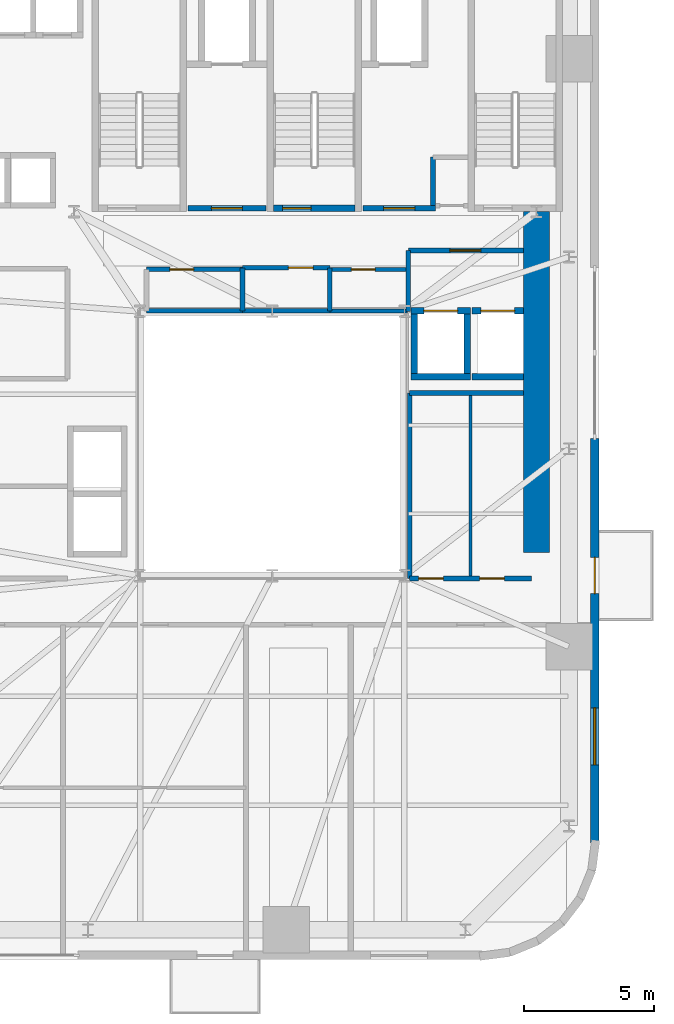
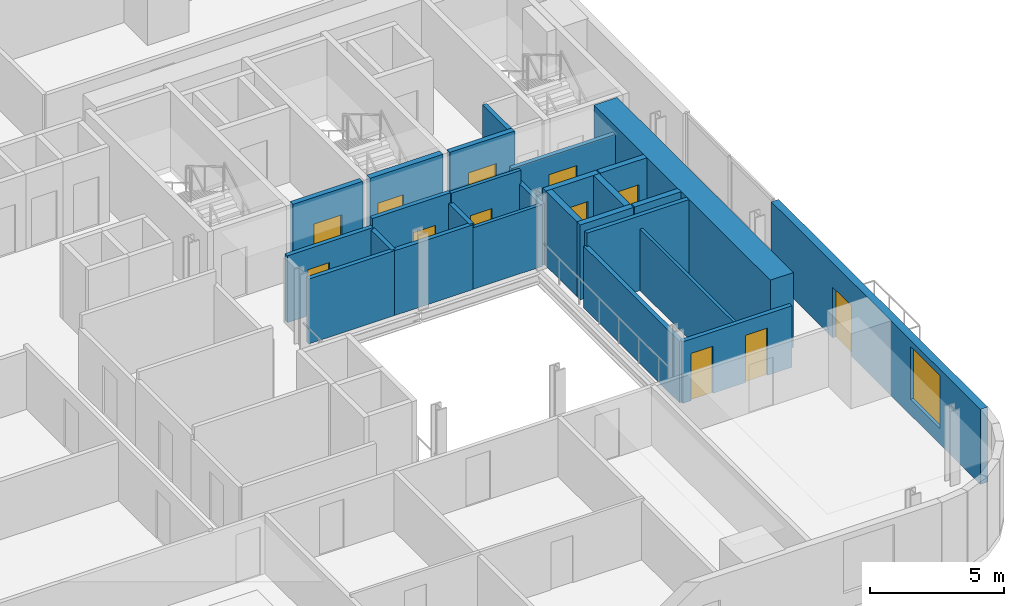
# One storey, part 7 of 13: 26 walls, 12 doors, 1 window, 13 openings.
"""IFC4 building model written with IfcOpenShell, lengths in metres."""

from ifc_helpers import new_model, si_unit, direction, frame, frame_2d, origin, place, context, subcontext, project, spatial, rectangle, extrude, source, transform, mapped, material, layer, layer_set, type_object, element, fill, save


model = new_model("IFC4")

# Units and contexts
model_context = context("Model", 3, precision=1e-05, world=origin(), true_north=direction((0.0, 1.0)))
body_context = subcontext(model_context, "Body", "Model", "MODEL_VIEW")
ifc_project = project(units=[si_unit("LENGTHUNIT", "METRE"), si_unit("AREAUNIT", "SQUARE_METRE"), si_unit("VOLUMEUNIT", "CUBIC_METRE"), si_unit("PLANEANGLEUNIT", "RADIAN"), si_unit("MASSUNIT", "GRAM", prefix="KILO")], contexts=[model_context])

# Site, building, storey
site_placement = place(None, origin())
site = spatial("IfcSite", under=ifc_project, at=site_placement, CompositionType="ELEMENT")
building_placement = place(site_placement, origin())
building = spatial("IfcBuilding", under=site, at=building_placement, Name="Vardaveli Station Tower", CompositionType="ELEMENT")
storey_placement = place(building_placement, frame((0.0, 0.0, 67.75)))
storey = spatial("IfcBuildingStorey", under=building, at=storey_placement, Name="L17", CompositionType="ELEMENT", Elevation=67.75)

# Wall
ifc_material_1 = material(Name="Concrete C60/75", Category="concrete")
ifc_layer_1 = layer(ifc_material_1, 1.0, Name="Concrete C60/75")
ifc_layer_set_1 = layer_set([ifc_layer_1], Name="Concrete C60/75")
wall_type_1 = type_object("IfcWallType", Name="WAL-CORE-1000", PredefinedType="SHEAR", material=ifc_layer_set_1)
shared_shape_1 = source(origin(), body_context, "Body", "SweptSolid", [
    extrude(rectangle(XDim=13.14990234375, YDim=1.0, at=frame_2d((6.574951171875, 0.0))), origin(), (0.0, 0.0, 1.0), 3.409912109375),
])
wall_1_placement = place(storey_placement, frame((46.5, 17.5, 0.0), z_axis=(0.0, 0.0, 1.0), x_axis=(0.0, 1.0, 0.0)))
element("IfcWall", 1, at=wall_1_placement, inside=storey, type_object=wall_type_1, Name="SW-L17-EAST2", PredefinedType="SHEAR", context=body_context, shape_type="MappedRepresentation", body=[
    mapped(shared_shape_1, transform((0.0, 0.0, 0.0), scale=1.0)),
])

# Wall, openings, door, window
ifc_material_2 = material(Name="Precast concrete C45/55", Category="concrete")
ifc_layer_2 = layer(ifc_material_2, 0.320068359375, Name="Precast concrete C45/55")
ifc_layer_set_2 = layer_set([ifc_layer_2], Name="Precast concrete C45/55")
wall_type_2 = type_object("IfcWallType", Name="WAL-EXT-STONE-320", PredefinedType="SOLIDWALL", material=ifc_layer_set_2)
shared_shape_2 = source(origin(), body_context, "Body", "SweptSolid", [
    extrude(rectangle(XDim=15.599853515625, YDim=0.320068359375, at=frame_2d((7.7998046875, 0.0))), origin(), (0.0, 0.0, 1.0), 3.409912109375),
])
wall_2_placement = place(storey_placement, frame((48.739990234375, 6.300048828125, 0.0), z_axis=(0.0, 0.0, 1.0), x_axis=(0.0, 1.0, 0.0)))
wall_2 = element("IfcWall", 2, at=wall_2_placement, inside=storey, type_object=wall_type_2, Name="EW-L17-E1", PredefinedType="SOLIDWALL", context=body_context, shape_type="MappedRepresentation", body=[
    mapped(shared_shape_2, transform((0.0, 0.0, 0.0), scale=1.0)),
])
shared_shape_3 = source(origin(), body_context, "Body", "SweptSolid", [
    extrude(rectangle(XDim=1.39990234375, YDim=2.300048828125, at=frame_2d((0.699951171875, 1.14990234375))), frame((0.0, 0.169921875, 0.0), z_axis=(0.0, -1.0, 0.0), x_axis=(1.0, 0.0, 0.0)), (0.0, 0.0, 1.0), 0.340087890625),
])
opening_1_placement = place(wall_2_placement, frame((9.6103515625, 0.0, 0.0)))
opening_1 = element("IfcOpeningElement", 3, at=opening_1_placement, cuts=wall_2, Name="Opening D-09", PredefinedType="OPENING", context=body_context, shape_type="MappedRepresentation", body=[
    mapped(shared_shape_3, transform((0.0, 0.0, 0.0), scale=1.0)),
])
shared_shape_4 = source(origin(), body_context, "Body", "SweptSolid", [
    extrude(rectangle(XDim=2.199951171875, YDim=2.39990234375, at=frame_2d((1.10009765625, 1.199951171875))), frame((0.0, 0.169921875, 0.0), z_axis=(0.0, -1.0, 0.0), x_axis=(1.0, 0.0, 0.0)), (0.0, 0.0, 1.0), 0.340087890625),
])
opening_2_placement = place(wall_2_placement, frame((3.0048828125, 0.0, 0.719970703125)))
opening_2 = element("IfcOpeningElement", 4, at=opening_2_placement, cuts=wall_2, Name="Opening W-03", PredefinedType="OPENING", context=body_context, shape_type="MappedRepresentation", body=[
    mapped(shared_shape_4, transform((0.0, 0.0, 0.0), scale=1.0)),
])
ifc_material_3 = material(Name="Thermally broken aluminium glass", Category="aluminium")
door_type_1 = type_object("IfcDoorType", Name="DR-LOG-1400x2300", OperationType="DOUBLE_DOOR_SLIDING", PredefinedType="DOOR", material=ifc_material_3)
shared_shape_5 = source(origin(), body_context, "Body", "SweptSolid", [
    extrude(rectangle(XDim=1.39990234375, YDim=2.300048828125, at=frame_2d((0.699951171875, 1.14990234375))), frame((0.0, 0.02490234375, 0.0), z_axis=(0.0, -1.0, 0.0), x_axis=(1.0, 0.0, 0.0)), (0.0, 0.0, 1.0), 0.050048828125),
])
door_1_placement = place(opening_1_placement, frame((1.39990234375, 0.0, 0.0), z_axis=(0.0, 0.0, 1.0), x_axis=(-1.0, 0.0, 0.0)))
door_1 = element("IfcDoor", 5, at=door_1_placement, inside=storey, type_object=door_type_1, Name="DLG-L17-E", OperationType="DOUBLE_DOOR_SLIDING", OverallHeight=2.300048828125, OverallWidth=1.39990234375, PredefinedType="DOOR", context=body_context, shape_type="MappedRepresentation", body=[
    mapped(shared_shape_5, transform((0.0, 0.0, 0.0), scale=1.0)),
])
fill(opening_1, door_1)
ifc_material_4 = material(Name="Low-E solar-control glass", Category="glass")
window_type = type_object("IfcWindowType", Name="WIN-LOG-2200x2400", PartitioningType="SINGLE_PANEL", PredefinedType="WINDOW", material=ifc_material_4)
shared_shape_6 = source(origin(), body_context, "Body", "SweptSolid", [
    extrude(rectangle(XDim=2.199951171875, YDim=2.39990234375, at=frame_2d((1.10009765625, 1.199951171875))), frame((0.0, 0.030029296875, 0.0), z_axis=(0.0, -1.0, 0.0), x_axis=(1.0, 0.0, 0.0)), (0.0, 0.0, 1.0), 0.06005859375),
])
window_placement = place(opening_2_placement, origin())
window = element("IfcWindow", 6, at=window_placement, inside=storey, type_object=window_type, Name="WN-L17-E1", OverallHeight=2.39990234375, OverallWidth=2.199951171875, PartitioningType="SINGLE_PANEL", PredefinedType="WINDOW", context=body_context, shape_type="MappedRepresentation", body=[
    mapped(shared_shape_6, transform((0.0, 0.0, 0.0), scale=1.0)),
])
fill(opening_2, window)

# Wall, opening, door
ifc_material_5 = material(Name="Concrete C40/50", Category="concrete")
ifc_layer_3 = layer(ifc_material_5, 0.25, Name="Concrete C40/50")
ifc_layer_set_3 = layer_set([ifc_layer_3], Name="Concrete C40/50")
wall_type_3 = type_object("IfcWallType", Name="WAL-SHAFT-250", PredefinedType="SOLIDWALL", material=ifc_layer_set_3)
shared_shape_7 = source(origin(), body_context, "Body", "SweptSolid", [
    extrude(rectangle(XDim=3.14990234375, YDim=0.25, at=frame_2d((1.574951171875, 0.0))), origin(), (0.0, 0.0, 1.0), 3.449951171875),
])
wall_3_placement = place(storey_placement, frame((36.35009765625, 30.77490234375, 0.0), z_axis=(0.0, 0.0, 1.0), x_axis=(1.0, 0.0, 0.0)))
wall_3 = element("IfcWall", 7, at=wall_3_placement, inside=storey, type_object=wall_type_3, Name="W-L17-ST-2S", PredefinedType="SOLIDWALL", context=body_context, shape_type="MappedRepresentation", body=[
    mapped(shared_shape_7, transform((0.0, 0.0, 0.0), scale=1.0)),
])
shared_shape_8 = source(origin(), body_context, "Body", "SweptSolid", [
    extrude(rectangle(XDim=1.10009765625, YDim=2.199951171875, at=frame_2d((0.550048828125, 1.10009765625))), frame((0.0, 0.135009765625, 0.0), z_axis=(0.0, -1.0, 0.0), x_axis=(1.0, 0.0, 0.0)), (0.0, 0.0, 1.0), 0.27001953125),
])
opening_3_placement = place(wall_3_placement, frame((0.35009765625, 0.0, 0.0)))
opening_3 = element("IfcOpeningElement", 8, at=opening_3_placement, cuts=wall_3, Name="Opening D-04", PredefinedType="OPENING", context=body_context, shape_type="MappedRepresentation", body=[
    mapped(shared_shape_8, transform((0.0, 0.0, 0.0), scale=1.0)),
])
ifc_material_6 = material(Name="Steel smokeproof fire doorset", Category="steel")
door_type_2 = type_object("IfcDoorType", Name="DR-ST-1100x2200", OperationType="NOTDEFINED", PredefinedType="DOOR", material=ifc_material_6)
shared_shape_9 = source(origin(), body_context, "Body", "SweptSolid", [
    extrude(rectangle(XDim=1.10009765625, YDim=2.199951171875, at=frame_2d((0.550048828125, 1.10009765625))), frame((0.0, 0.02490234375, 0.0), z_axis=(0.0, -1.0, 0.0), x_axis=(1.0, 0.0, 0.0)), (0.0, 0.0, 1.0), 0.050048828125),
])
door_2_placement = place(opening_3_placement, origin())
door_2 = element("IfcDoor", 9, at=door_2_placement, inside=storey, type_object=door_type_2, Name="DST-2-L17", OperationType="SINGLE_SWING_LEFT", OverallHeight=2.199951171875, OverallWidth=1.10009765625, PredefinedType="DOOR", context=body_context, shape_type="MappedRepresentation", body=[
    mapped(shared_shape_9, transform((0.0, 0.0, 0.0), scale=1.0)),
])
fill(opening_3, door_2)

ifc_layer_4 = layer(ifc_material_5, 0.219970703125, Name="Concrete C40/50")
ifc_layer_set_4 = layer_set([ifc_layer_4], Name="Concrete C40/50")
wall_type_4 = type_object("IfcWallType", Name="WAL-FFLOBBY-220", PredefinedType="SOLIDWALL", material=ifc_layer_set_4)
shared_shape_10 = source(origin(), body_context, "Body", "SweptSolid", [
    extrude(rectangle(XDim=3.0, YDim=0.219970703125, at=frame_2d((1.5, 0.0))), origin(), (0.0, 0.0, 1.0), 3.409912109375),
])
wall_4_placement = place(storey_placement, frame((33.050048828125, 30.780029296875, 0.0), z_axis=(0.0, 0.0, 1.0), x_axis=(1.0, 0.0, 0.0)))
wall_4 = element("IfcWall", 10, at=wall_4_placement, inside=storey, type_object=wall_type_4, Name="W-L17-FFL1S", PredefinedType="SOLIDWALL", context=body_context, shape_type="MappedRepresentation", body=[
    mapped(shared_shape_10, transform((0.0, 0.0, 0.0), scale=1.0)),
])
shared_shape_11 = source(origin(), body_context, "Body", "SweptSolid", [
    extrude(rectangle(XDim=1.199951171875, YDim=2.199951171875, at=frame_2d((0.60009765625, 1.10009765625))), frame((0.0, 0.1201171875, 0.0), z_axis=(0.0, -1.0, 0.0), x_axis=(1.0, 0.0, 0.0)), (0.0, 0.0, 1.0), 0.239990234375),
])
opening_4_placement = place(wall_4_placement, frame((0.89990234375, 0.0, 0.0)))
opening_4 = element("IfcOpeningElement", 11, at=opening_4_placement, cuts=wall_4, Name="Opening D-03", PredefinedType="OPENING", context=body_context, shape_type="MappedRepresentation", body=[
    mapped(shared_shape_11, transform((0.0, 0.0, 0.0), scale=1.0)),
])
door_type_3 = type_object("IfcDoorType", Name="DR-FFL-1200x2200", OperationType="NOTDEFINED", PredefinedType="DOOR", material=ifc_material_6)
shared_shape_12 = source(origin(), body_context, "Body", "SweptSolid", [
    extrude(rectangle(XDim=1.199951171875, YDim=2.199951171875, at=frame_2d((0.60009765625, 1.10009765625))), frame((0.0, 0.02490234375, 0.0), z_axis=(0.0, -1.0, 0.0), x_axis=(1.0, 0.0, 0.0)), (0.0, 0.0, 1.0), 0.050048828125),
])
door_3_placement = place(opening_4_placement, origin())
door_3 = element("IfcDoor", 12, at=door_3_placement, inside=storey, type_object=door_type_3, Name="DFFL1-L17", OperationType="SINGLE_SWING_LEFT", OverallHeight=2.199951171875, OverallWidth=1.199951171875, PredefinedType="DOOR", context=body_context, shape_type="MappedRepresentation", body=[
    mapped(shared_shape_12, transform((0.0, 0.0, 0.0), scale=1.0)),
])
fill(opening_4, door_3)

shared_shape_13 = source(origin(), body_context, "Body", "SweptSolid", [
    extrude(rectangle(XDim=2.800048828125, YDim=0.219970703125, at=frame_2d((1.39990234375, 0.0))), origin(), (0.0, 0.0, 1.0), 3.409912109375),
])
wall_5_placement = place(storey_placement, frame((39.800048828125, 30.780029296875, 0.0), z_axis=(0.0, 0.0, 1.0), x_axis=(1.0, 0.0, 0.0)))
wall_5 = element("IfcWall", 13, at=wall_5_placement, inside=storey, type_object=wall_type_4, Name="W-L17-FFL2S", PredefinedType="SOLIDWALL", context=body_context, shape_type="MappedRepresentation", body=[
    mapped(shared_shape_13, transform((0.0, 0.0, 0.0), scale=1.0)),
])
opening_5_placement = place(wall_5_placement, frame((0.800048828125, 0.0, 0.0)))
opening_5 = element("IfcOpeningElement", 14, at=opening_5_placement, cuts=wall_5, Name="Opening D-03", PredefinedType="OPENING", context=body_context, shape_type="MappedRepresentation", body=[
    mapped(shared_shape_11, transform((0.0, 0.0, 0.0), scale=1.0)),
])
door_4_placement = place(opening_5_placement, origin())
door_4 = element("IfcDoor", 15, at=door_4_placement, inside=storey, type_object=door_type_3, Name="DFFL2-L17", OperationType="SINGLE_SWING_RIGHT", OverallHeight=2.199951171875, OverallWidth=1.199951171875, PredefinedType="DOOR", context=body_context, shape_type="MappedRepresentation", body=[
    mapped(shared_shape_12, transform((0.0, 0.0, 0.0), scale=1.0)),
])
fill(opening_5, door_4)

# Wall
shared_shape_14 = source(origin(), body_context, "Body", "SweptSolid", [
    extrude(rectangle(XDim=2.300048828125, YDim=0.25, at=frame_2d((1.14990234375, 0.0))), origin(), (0.0, 0.0, 1.0), 3.409912109375),
])
wall_6_placement = place(storey_placement, frame((41.64990234375, 24.27490234375, 0.0), z_axis=(0.0, 0.0, 1.0), x_axis=(1.0, 0.0, 0.0)))
element("IfcWall", 16, at=wall_6_placement, inside=storey, type_object=wall_type_3, Name="SHW-SRV-01-L17-S", PredefinedType="SOLIDWALL", context=body_context, shape_type="MappedRepresentation", body=[
    mapped(shared_shape_14, transform((0.0, 0.0, 0.0), scale=1.0)),
])

# Wall, opening, door
wall_7_placement = place(storey_placement, frame((41.64990234375, 26.824951171875, 0.0), z_axis=(0.0, 0.0, 1.0), x_axis=(1.0, 0.0, 0.0)))
wall_7 = element("IfcWall", 17, at=wall_7_placement, inside=storey, type_object=wall_type_3, Name="SHW-SRV-01-L17-N", PredefinedType="SOLIDWALL", context=body_context, shape_type="MappedRepresentation", body=[
    mapped(shared_shape_14, transform((0.0, 0.0, 0.0), scale=1.0)),
])
shared_shape_15 = source(origin(), body_context, "Body", "SweptSolid", [
    extrude(rectangle(XDim=1.300048828125, YDim=2.300048828125, at=frame_2d((0.64990234375, 1.14990234375))), frame((0.0, 0.135009765625, 0.0), z_axis=(0.0, -1.0, 0.0), x_axis=(1.0, 0.0, 0.0)), (0.0, 0.0, 1.0), 0.27001953125),
])
opening_6_placement = place(wall_7_placement, frame((0.5, 0.0, 0.0)))
opening_6 = element("IfcOpeningElement", 18, at=opening_6_placement, cuts=wall_7, Name="Opening LD-03", PredefinedType="OPENING", context=body_context, shape_type="MappedRepresentation", body=[
    mapped(shared_shape_15, transform((0.0, 0.0, 0.0), scale=1.0)),
])
ifc_material_7 = material(Name="Brushed stainless steel", Category="steel")
door_type_4 = type_object("IfcDoorType", Name="DR-LD-1300x2300", OperationType="DOUBLE_DOOR_SLIDING", PredefinedType="DOOR", material=ifc_material_7)
shared_shape_16 = source(origin(), body_context, "Body", "SweptSolid", [
    extrude(rectangle(XDim=1.300048828125, YDim=2.300048828125, at=frame_2d((0.64990234375, 1.14990234375))), frame((0.0, 0.02490234375, 0.0), z_axis=(0.0, -1.0, 0.0), x_axis=(1.0, 0.0, 0.0)), (0.0, 0.0, 1.0), 0.050048828125),
])
door_5_placement = place(opening_6_placement, origin())
door_5 = element("IfcDoor", 19, at=door_5_placement, inside=storey, type_object=door_type_4, Name="LD-SRV-01-L17", OperationType="DOUBLE_DOOR_SLIDING", OverallHeight=2.300048828125, OverallWidth=1.300048828125, PredefinedType="DOOR", context=body_context, shape_type="MappedRepresentation", body=[
    mapped(shared_shape_16, transform((0.0, 0.0, 0.0), scale=1.0)),
])
fill(opening_6, door_5)

# Walls
for number, where, z_axis, x_axis, name in (
    (20, (41.77490234375, 24.39990234375, 0.0), (0.0, 0.0, 1.0), (0.0, 1.0, 0.0), "SHW-SRV-01-L17-W"),
    (21, (43.824951171875, 24.39990234375, 0.0), (0.0, 0.0, 1.0), (0.0, 1.0, 0.0), "SHW-SRV-01-L17-E"),
):
    element("IfcWall", number, at=place(storey_placement, frame(where, z_axis=z_axis, x_axis=x_axis)), inside=storey, type_object=wall_type_3, Name=name, PredefinedType="SOLIDWALL", context=body_context, shape_type="MappedRepresentation", body=[
        mapped(shared_shape_14, transform((0.0, 0.0, 0.0), scale=1.0)),
    ])
shared_shape_17 = source(origin(), body_context, "Body", "SweptSolid", [
    extrude(rectangle(XDim=2.0, YDim=0.25, at=frame_2d((1.0, 0.0))), origin(), (0.0, 0.0, 1.0), 3.409912109375),
])
wall_8_placement = place(storey_placement, frame((44.0, 24.27490234375, 0.0), z_axis=(0.0, 0.0, 1.0), x_axis=(1.0, 0.0, 0.0)))
element("IfcWall", 22, at=wall_8_placement, inside=storey, type_object=wall_type_3, Name="SHW-SRV-02-L17-S", PredefinedType="SOLIDWALL", context=body_context, shape_type="MappedRepresentation", body=[
    mapped(shared_shape_17, transform((0.0, 0.0, 0.0), scale=1.0)),
])

# Wall, opening, door
wall_9_placement = place(storey_placement, frame((44.0, 26.824951171875, 0.0), z_axis=(0.0, 0.0, 1.0), x_axis=(1.0, 0.0, 0.0)))
wall_9 = element("IfcWall", 23, at=wall_9_placement, inside=storey, type_object=wall_type_3, Name="SHW-SRV-02-L17-N", PredefinedType="SOLIDWALL", context=body_context, shape_type="MappedRepresentation", body=[
    mapped(shared_shape_17, transform((0.0, 0.0, 0.0), scale=1.0)),
])
opening_7_placement = place(wall_9_placement, frame((0.35009765625, 0.0, 0.0)))
opening_7 = element("IfcOpeningElement", 24, at=opening_7_placement, cuts=wall_9, Name="Opening LD-03", PredefinedType="OPENING", context=body_context, shape_type="MappedRepresentation", body=[
    mapped(shared_shape_15, transform((0.0, 0.0, 0.0), scale=1.0)),
])
door_6_placement = place(opening_7_placement, origin())
door_6 = element("IfcDoor", 25, at=door_6_placement, inside=storey, type_object=door_type_4, Name="LD-SRV-02-L17", OperationType="DOUBLE_DOOR_SLIDING", OverallHeight=2.300048828125, OverallWidth=1.300048828125, PredefinedType="DOOR", context=body_context, shape_type="MappedRepresentation", body=[
    mapped(shared_shape_16, transform((0.0, 0.0, 0.0), scale=1.0)),
])
fill(opening_7, door_6)

ifc_material_8 = material(Name="Fire-rated gypsum stud partition")
ifc_layer_5 = layer(ifc_material_8, 0.179931640625, Name="Fire-rated gypsum stud partition")
ifc_layer_set_5 = layer_set([ifc_layer_5], Name="Fire-rated gypsum stud partition")
wall_type_5 = type_object("IfcWallType", Name="WAL-CORR-180", PredefinedType="PARTITIONING", material=ifc_layer_set_5)
shared_shape_18 = source(origin(), body_context, "Body", "SweptSolid", [
    extrude(rectangle(XDim=4.447998046875, YDim=0.179931640625, at=frame_2d((2.22412109375, 0.0))), origin(), (0.0, 0.0, 1.0), 3.0419921875),
])
wall_10_placement = place(storey_placement, frame((41.550048828125, 29.14990234375, 0.0), z_axis=(0.0, 0.0, 1.0), x_axis=(1.0, 0.0, 0.0)))
wall_10 = element("IfcWall", 26, at=wall_10_placement, inside=storey, type_object=wall_type_5, Name="W-L17-SVFN", PredefinedType="PARTITIONING", context=body_context, shape_type="MappedRepresentation", body=[
    mapped(shared_shape_18, transform((0.0, 0.0, 0.0), scale=1.0)),
])
shared_shape_19 = source(origin(), body_context, "Body", "SweptSolid", [
    extrude(rectangle(XDim=1.199951171875, YDim=2.199951171875, at=frame_2d((0.60009765625, 1.10009765625))), frame((0.0, 0.10009765625, 0.0), z_axis=(0.0, -1.0, 0.0), x_axis=(1.0, 0.0, 0.0)), (0.0, 0.0, 1.0), 0.199951171875),
])
opening_8_placement = place(wall_10_placement, frame((1.60009765625, 0.0, 0.0)))
opening_8 = element("IfcOpeningElement", 27, at=opening_8_placement, cuts=wall_10, Name="Opening D-03", PredefinedType="OPENING", context=body_context, shape_type="MappedRepresentation", body=[
    mapped(shared_shape_19, transform((0.0, 0.0, 0.0), scale=1.0)),
])
door_7_placement = place(opening_8_placement, origin())
door_7 = element("IfcDoor", 28, at=door_7_placement, inside=storey, type_object=door_type_3, Name="D-L17-SVF", OperationType="SINGLE_SWING_RIGHT", OverallHeight=2.199951171875, OverallWidth=1.199951171875, PredefinedType="DOOR", context=body_context, shape_type="MappedRepresentation", body=[
    mapped(shared_shape_12, transform((0.0, 0.0, 0.0), scale=1.0)),
])
fill(opening_8, door_7)

# Wall, openings, doors
shared_shape_20 = source(origin(), body_context, "Body", "SweptSolid", [
    extrude(rectangle(XDim=4.699951171875, YDim=0.179931640625, at=frame_2d((2.35009765625, 0.0))), origin(), (0.0, 0.0, 1.0), 2.802001953125),
])
wall_11_placement = place(storey_placement, frame((41.60009765625, 16.5, 0.0), z_axis=(0.0, 0.0, 1.0), x_axis=(1.0, 0.0, 0.0)))
wall_11 = element("IfcWall", 29, at=wall_11_placement, inside=storey, type_object=wall_type_5, Name="W-L17-ATE-S", PredefinedType="PARTITIONING", context=body_context, shape_type="MappedRepresentation", body=[
    mapped(shared_shape_20, transform((0.0, 0.0, 0.0), scale=1.0)),
])
shared_shape_21 = source(origin(), body_context, "Body", "SweptSolid", [
    extrude(rectangle(XDim=0.949951171875, YDim=2.14990234375, at=frame_2d((0.47509765625, 1.074951171875))), frame((0.0, 0.10009765625, 0.0), z_axis=(0.0, -1.0, 0.0), x_axis=(1.0, 0.0, 0.0)), (0.0, 0.0, 1.0), 0.199951171875),
])
opening_9_placement = place(wall_11_placement, frame((0.35009765625, 0.0, 0.0)))
opening_9 = element("IfcOpeningElement", 30, at=opening_9_placement, cuts=wall_11, Name="Opening D-11", PredefinedType="OPENING", context=body_context, shape_type="MappedRepresentation", body=[
    mapped(shared_shape_21, transform((0.0, 0.0, 0.0), scale=1.0)),
])
opening_10_placement = place(wall_11_placement, frame((2.699951171875, 0.0, 0.0)))
opening_10 = element("IfcOpeningElement", 31, at=opening_10_placement, cuts=wall_11, Name="Opening D-11", PredefinedType="OPENING", context=body_context, shape_type="MappedRepresentation", body=[
    mapped(shared_shape_21, transform((0.0, 0.0, 0.0), scale=1.0)),
])
ifc_material_9 = material(Name="Oak veneer internal suite door")
door_type_5 = type_object("IfcDoorType", Name="DR-INT-950x2150", OperationType="NOTDEFINED", PredefinedType="DOOR", material=ifc_material_9)
shared_shape_22 = source(origin(), body_context, "Body", "SweptSolid", [
    extrude(rectangle(XDim=0.949951171875, YDim=2.14990234375, at=frame_2d((0.47509765625, 1.074951171875))), frame((0.0, 0.02490234375, 0.0), z_axis=(0.0, -1.0, 0.0), x_axis=(1.0, 0.0, 0.0)), (0.0, 0.0, 1.0), 0.050048828125),
])
door_8_placement = place(opening_9_placement, origin())
door_8 = element("IfcDoor", 32, at=door_8_placement, inside=storey, type_object=door_type_5, Name="D-L17-ATE1", OperationType="SINGLE_SWING_RIGHT", OverallHeight=2.14990234375, OverallWidth=0.949951171875, PredefinedType="DOOR", context=body_context, shape_type="MappedRepresentation", body=[
    mapped(shared_shape_22, transform((0.0, 0.0, 0.0), scale=1.0)),
])
fill(opening_9, door_8)
door_9_placement = place(opening_10_placement, origin())
door_9 = element("IfcDoor", 33, at=door_9_placement, inside=storey, type_object=door_type_5, Name="D-L17-ATE2", OperationType="SINGLE_SWING_RIGHT", OverallHeight=2.14990234375, OverallWidth=0.949951171875, PredefinedType="DOOR", context=body_context, shape_type="MappedRepresentation", body=[
    mapped(shared_shape_22, transform((0.0, 0.0, 0.0), scale=1.0)),
])
fill(opening_10, door_9)

# Walls
shared_shape_23 = source(origin(), body_context, "Body", "SweptSolid", [
    extrude(rectangle(XDim=7.14990234375, YDim=0.179931640625, at=frame_2d((3.574951171875, 0.0))), origin(), (0.0, 0.0, 1.0), 2.802001953125),
])
wall_12_placement = place(storey_placement, frame((41.60009765625, 16.5, 0.0), z_axis=(0.0, 0.0, 1.0), x_axis=(0.0, 1.0, 0.0)))
element("IfcWall", 34, at=wall_12_placement, inside=storey, type_object=wall_type_5, Name="W-L17-ATE-W", PredefinedType="PARTITIONING", context=body_context, shape_type="MappedRepresentation", body=[
    mapped(shared_shape_23, transform((0.0, 0.0, 0.0), scale=1.0)),
])
shared_shape_24 = source(origin(), body_context, "Body", "SweptSolid", [
    extrude(rectangle(XDim=4.39794921875, YDim=0.179931640625, at=frame_2d((2.198974609375, 0.0))), origin(), (0.0, 0.0, 1.0), 3.409912109375),
])
wall_13_placement = place(storey_placement, frame((41.60009765625, 23.64990234375, 0.0), z_axis=(0.0, 0.0, 1.0), x_axis=(1.0, 0.0, 0.0)))
element("IfcWall", 35, at=wall_13_placement, inside=storey, type_object=wall_type_5, Name="W-L17-ATE-N", PredefinedType="PARTITIONING", context=body_context, shape_type="MappedRepresentation", body=[
    mapped(shared_shape_24, transform((0.0, 0.0, 0.0), scale=1.0)),
])
shared_shape_25 = source(origin(), body_context, "Body", "SweptSolid", [
    extrude(rectangle(XDim=2.349853515625, YDim=0.179931640625, at=frame_2d((1.1748046875, 0.0))), origin(), (0.0, 0.0, 1.0), 2.802001953125),
])
wall_14_placement = place(storey_placement, frame((41.550048828125, 26.800048828125, 0.0), z_axis=(0.0, 0.0, 1.0), x_axis=(0.0, 1.0, 0.0)))
element("IfcWall", 36, at=wall_14_placement, inside=storey, type_object=wall_type_5, Name="W-L17-SVFW", PredefinedType="PARTITIONING", context=body_context, shape_type="MappedRepresentation", body=[
    mapped(shared_shape_25, transform((0.0, 0.0, 0.0), scale=1.0)),
])
ifc_material_10 = material(Name="Gypsum board stud partition")
ifc_layer_6 = layer(ifc_material_10, 0.125, Name="Gypsum board stud partition")
ifc_layer_set_6 = layer_set([ifc_layer_6], Name="Gypsum board stud partition")
wall_type_6 = type_object("IfcWallType", Name="WAL-INT-125", PredefinedType="PARTITIONING", material=ifc_layer_set_6)
shared_shape_26 = source(origin(), body_context, "Body", "SweptSolid", [
    extrude(rectangle(XDim=7.14990234375, YDim=0.125, at=frame_2d((3.574951171875, 0.0))), origin(), (0.0, 0.0, 1.0), 2.802001953125),
])
wall_15_placement = place(storey_placement, frame((43.949951171875, 16.5, 0.0), z_axis=(0.0, 0.0, 1.0), x_axis=(0.0, 1.0, 0.0)))
element("IfcWall", 37, at=wall_15_placement, inside=storey, type_object=wall_type_6, Name="W-L17-ATEM", PredefinedType="PARTITIONING", context=body_context, shape_type="MappedRepresentation", body=[
    mapped(shared_shape_26, transform((0.0, 0.0, 0.0), scale=1.0)),
])

# Wall, opening, door
shared_shape_27 = source(origin(), body_context, "Body", "SweptSolid", [
    extrude(rectangle(XDim=3.699951171875, YDim=0.179931640625, at=frame_2d((1.85009765625, 0.0))), origin(), (0.0, 0.0, 1.0), 3.0419921875),
])
wall_16_placement = place(storey_placement, frame((31.449951171875, 28.419921875, 0.0), z_axis=(0.0, 0.0, 1.0), x_axis=(1.0, 0.0, 0.0)))
wall_16 = element("IfcWall", 38, at=wall_16_placement, inside=storey, type_object=wall_type_5, Name="W-L17-CS2A-N", PredefinedType="PARTITIONING", context=body_context, shape_type="MappedRepresentation", body=[
    mapped(shared_shape_27, transform((0.0, 0.0, 0.0), scale=1.0)),
])
shared_shape_28 = source(origin(), body_context, "Body", "SweptSolid", [
    extrude(rectangle(XDim=0.919921875, YDim=2.10009765625, at=frame_2d((0.4599609375, 1.050048828125))), frame((0.0, 0.10009765625, 0.0), z_axis=(0.0, -1.0, 0.0), x_axis=(1.0, 0.0, 0.0)), (0.0, 0.0, 1.0), 0.199951171875),
])
opening_11_placement = place(wall_16_placement, frame((0.89990234375, 0.0, 0.0)))
opening_11 = element("IfcOpeningElement", 39, at=opening_11_placement, cuts=wall_16, Name="Opening D-07", PredefinedType="OPENING", context=body_context, shape_type="MappedRepresentation", body=[
    mapped(shared_shape_28, transform((0.0, 0.0, 0.0), scale=1.0)),
])
ifc_material_11 = material(Name="Moisture-resistant hardwood door", Category="wood")
door_type_6 = type_object("IfcDoorType", Name="DR-WC-920x2100", OperationType="NOTDEFINED", PredefinedType="DOOR", material=ifc_material_11)
shared_shape_29 = source(origin(), body_context, "Body", "SweptSolid", [
    extrude(rectangle(XDim=0.919921875, YDim=2.10009765625, at=frame_2d((0.4599609375, 1.050048828125))), frame((0.0, 0.02490234375, 0.0), z_axis=(0.0, -1.0, 0.0), x_axis=(1.0, 0.0, 0.0)), (0.0, 0.0, 1.0), 0.050048828125),
])
door_10_placement = place(opening_11_placement, origin())
door_10 = element("IfcDoor", 40, at=door_10_placement, inside=storey, type_object=door_type_6, Name="D-L17-CS2A", OperationType="SINGLE_SWING_LEFT", OverallHeight=2.10009765625, OverallWidth=0.919921875, PredefinedType="DOOR", context=body_context, shape_type="MappedRepresentation", body=[
    mapped(shared_shape_29, transform((0.0, 0.0, 0.0), scale=1.0)),
])
fill(opening_11, door_10)

# Wall
ifc_material_12 = material(Name="Moisture-resistant stud partition")
ifc_layer_7 = layer(ifc_material_12, 0.14990234375, Name="Moisture-resistant stud partition")
ifc_layer_set_7 = layer_set([ifc_layer_7], Name="Moisture-resistant stud partition")
wall_type_7 = type_object("IfcWallType", Name="WAL-WET-150", PredefinedType="PARTITIONING", material=ifc_layer_set_7)
shared_shape_30 = source(origin(), body_context, "Body", "SweptSolid", [
    extrude(rectangle(XDim=3.0, YDim=0.14990234375, at=frame_2d((1.5, 0.0))), origin(), (0.0, 0.0, 1.0), 2.802001953125),
])
wall_17_placement = place(storey_placement, frame((38.52001953125, 26.820068359375, 0.0), z_axis=(0.0, 0.0, 1.0), x_axis=(1.0, 0.0, 0.0)))
element("IfcWall", 41, at=wall_17_placement, inside=storey, type_object=wall_type_7, Name="W-L17-WCA2-S", PredefinedType="PARTITIONING", context=body_context, shape_type="MappedRepresentation", body=[
    mapped(shared_shape_30, transform((0.0, 0.0, 0.0), scale=1.0)),
])

# Wall, opening, door
shared_shape_31 = source(origin(), body_context, "Body", "SweptSolid", [
    extrude(rectangle(XDim=3.3701171875, YDim=0.179931640625, at=frame_2d((1.68505859375, 0.0))), origin(), (0.0, 0.0, 1.0), 3.409912109375),
])
wall_18_placement = place(storey_placement, frame((35.14990234375, 28.47998046875, 0.0), z_axis=(0.0, 0.0, 1.0), x_axis=(1.0, 0.0, 0.0)))
wall_18 = element("IfcWall", 42, at=wall_18_placement, inside=storey, type_object=wall_type_5, Name="W-L17-HKP2-N", PredefinedType="PARTITIONING", context=body_context, shape_type="MappedRepresentation", body=[
    mapped(shared_shape_31, transform((0.0, 0.0, 0.0), scale=1.0)),
])
opening_12_placement = place(wall_18_placement, frame((1.77490234375, 0.0, 0.0)))
opening_12 = element("IfcOpeningElement", 43, at=opening_12_placement, cuts=wall_18, Name="Opening D-06", PredefinedType="OPENING", context=body_context, shape_type="MappedRepresentation", body=[
    mapped(shared_shape_21, transform((0.0, 0.0, 0.0), scale=1.0)),
])
ifc_material_13 = material(Name="Oak veneer acoustic fire door")
door_type_7 = type_object("IfcDoorType", Name="DR-GUEST-950x2150", OperationType="NOTDEFINED", PredefinedType="DOOR", material=ifc_material_13)
door_11_placement = place(opening_12_placement, origin())
door_11 = element("IfcDoor", 44, at=door_11_placement, inside=storey, type_object=door_type_7, Name="D-L17-HKP", OperationType="SINGLE_SWING_LEFT", OverallHeight=2.14990234375, OverallWidth=0.949951171875, PredefinedType="DOOR", context=body_context, shape_type="MappedRepresentation", body=[
    mapped(shared_shape_22, transform((0.0, 0.0, 0.0), scale=1.0)),
])
fill(opening_12, door_11)

shared_shape_32 = source(origin(), body_context, "Body", "SweptSolid", [
    extrude(rectangle(XDim=3.0, YDim=0.14990234375, at=frame_2d((1.5, 0.0))), origin(), (0.0, 0.0, 1.0), 3.409912109375),
])
wall_19_placement = place(storey_placement, frame((38.52001953125, 28.419921875, 0.0), z_axis=(0.0, 0.0, 1.0), x_axis=(1.0, 0.0, 0.0)))
wall_19 = element("IfcWall", 45, at=wall_19_placement, inside=storey, type_object=wall_type_7, Name="W-L17-WCA2-N", PredefinedType="PARTITIONING", context=body_context, shape_type="MappedRepresentation", body=[
    mapped(shared_shape_32, transform((0.0, 0.0, 0.0), scale=1.0)),
])
shared_shape_33 = source(origin(), body_context, "Body", "SweptSolid", [
    extrude(rectangle(XDim=0.919921875, YDim=2.10009765625, at=frame_2d((0.4599609375, 1.050048828125))), frame((0.0, 0.0849609375, 0.0), z_axis=(0.0, -1.0, 0.0), x_axis=(1.0, 0.0, 0.0)), (0.0, 0.0, 1.0), 0.169921875),
])
opening_13_placement = place(wall_19_placement, frame((0.830078125, 0.0, 0.0)))
opening_13 = element("IfcOpeningElement", 46, at=opening_13_placement, cuts=wall_19, Name="Opening D-07", PredefinedType="OPENING", context=body_context, shape_type="MappedRepresentation", body=[
    mapped(shared_shape_33, transform((0.0, 0.0, 0.0), scale=1.0)),
])
door_12_placement = place(opening_13_placement, origin())
door_12 = element("IfcDoor", 47, at=door_12_placement, inside=storey, type_object=door_type_6, Name="D-L17-WCA", OperationType="SINGLE_SWING_LEFT", OverallHeight=2.10009765625, OverallWidth=0.919921875, PredefinedType="DOOR", context=body_context, shape_type="MappedRepresentation", body=[
    mapped(shared_shape_29, transform((0.0, 0.0, 0.0), scale=1.0)),
])
fill(opening_13, door_12)

# Walls
shared_shape_34 = source(origin(), body_context, "Body", "SweptSolid", [
    extrude(rectangle(XDim=3.699951171875, YDim=0.179931640625, at=frame_2d((1.85009765625, 0.0))), origin(), (0.0, 0.0, 1.0), 2.951904296875),
])
wall_20_placement = place(storey_placement, frame((31.449951171875, 26.820068359375, 0.0), z_axis=(0.0, 0.0, 1.0), x_axis=(1.0, 0.0, 0.0)))
element("IfcWall", 48, at=wall_20_placement, inside=storey, type_object=wall_type_5, Name="W-L17-CS2A-S", PredefinedType="PARTITIONING", context=body_context, shape_type="MappedRepresentation", body=[
    mapped(shared_shape_34, transform((0.0, 0.0, 0.0), scale=1.0)),
])
shared_shape_35 = source(origin(), body_context, "Body", "SweptSolid", [
    extrude(rectangle(XDim=3.3701171875, YDim=0.179931640625, at=frame_2d((1.68505859375, 0.0))), origin(), (0.0, 0.0, 1.0), 2.951904296875),
])
wall_21_placement = place(storey_placement, frame((35.14990234375, 26.820068359375, 0.0), z_axis=(0.0, 0.0, 1.0), x_axis=(1.0, 0.0, 0.0)))
element("IfcWall", 49, at=wall_21_placement, inside=storey, type_object=wall_type_5, Name="W-L17-HKP2-S", PredefinedType="PARTITIONING", context=body_context, shape_type="MappedRepresentation", body=[
    mapped(shared_shape_35, transform((0.0, 0.0, 0.0), scale=1.0)),
])
shared_shape_36 = source(origin(), body_context, "Body", "SweptSolid", [
    extrude(rectangle(XDim=1.85791015625, YDim=0.179931640625, at=frame_2d((0.928955078125, 0.0))), origin(), (0.0, 0.0, 1.0), 3.409912109375),
])
wall_22_placement = place(storey_placement, frame((42.5, 30.89208984375, 0.0), z_axis=(0.0, 0.0, 1.0), x_axis=(0.0, 1.0, 0.0)))
element("IfcWall", 50, at=wall_22_placement, inside=storey, type_object=wall_type_5, Name="W-L17-CBS2A-W", PredefinedType="PARTITIONING", context=body_context, shape_type="MappedRepresentation", body=[
    mapped(shared_shape_36, transform((0.0, 0.0, 0.0), scale=1.0)),
])
shared_shape_37 = source(origin(), body_context, "Body", "SweptSolid", [
    extrude(rectangle(XDim=1.659912109375, YDim=0.179931640625, at=frame_2d((0.830078125, 0.0))), origin(), (0.0, 0.0, 1.0), 2.951904296875),
])
for number, where, z_axis, x_axis, name in (
    (51, (35.14990234375, 26.820068359375, 0.0), (0.0, 0.0, 1.0), (0.0, 1.0, 0.0), "W-L17-HKP2-W"),
    (52, (38.52001953125, 26.820068359375, 0.0), (0.0, 0.0, 1.0), (0.0, 1.0, 0.0), "W-L17-HKP2-E"),
):
    element("IfcWall", number, at=place(storey_placement, frame(where, z_axis=z_axis, x_axis=x_axis)), inside=storey, type_object=wall_type_5, Name=name, PredefinedType="PARTITIONING", context=body_context, shape_type="MappedRepresentation", body=[
        mapped(shared_shape_37, transform((0.0, 0.0, 0.0), scale=1.0)),
    ])

save(model, "model.ifc")
